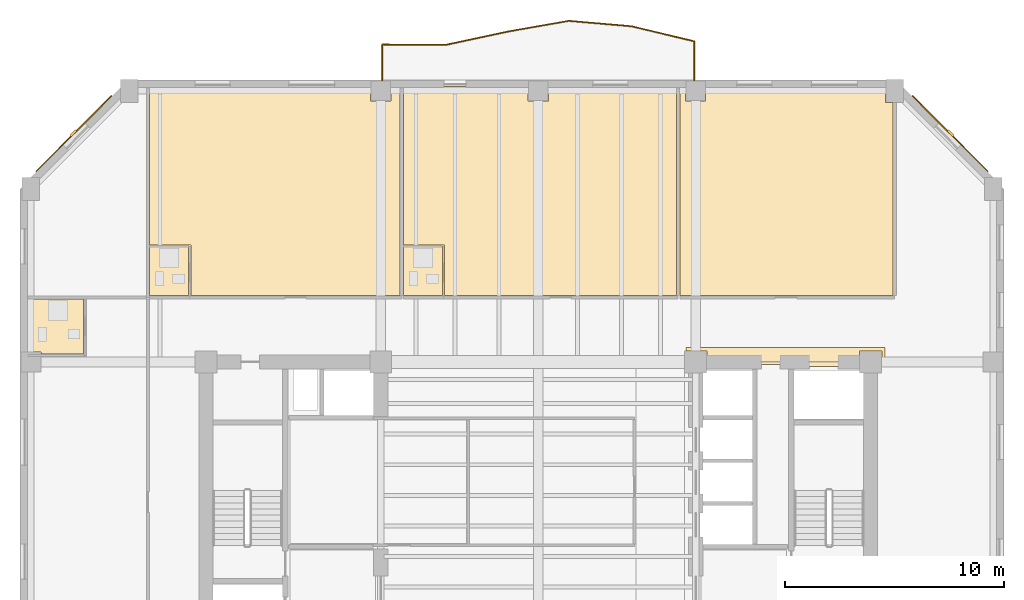
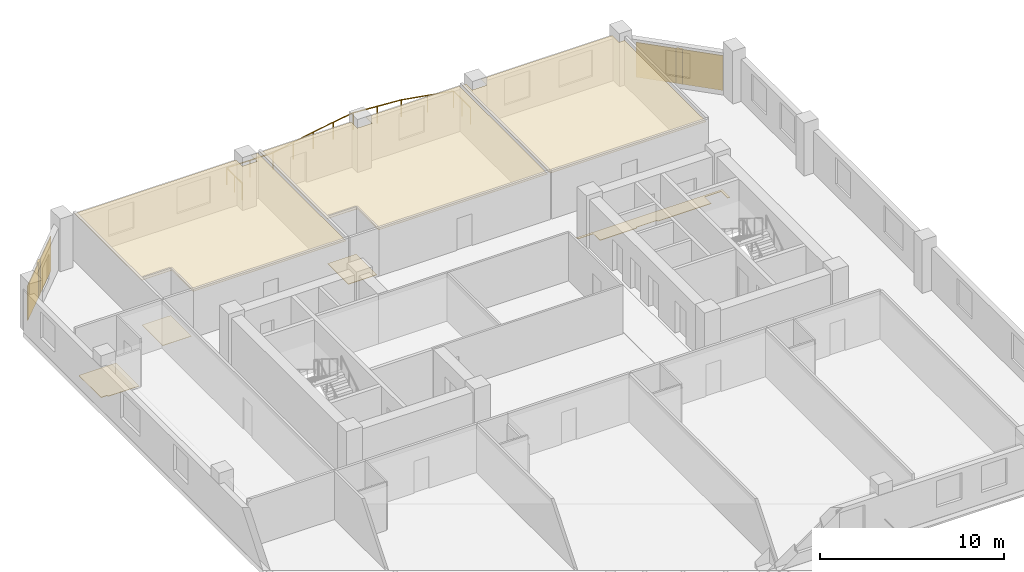
# One storey, part 9 of 10: 9 coverings, 2 shading devices, 1 railing.
"""IFC4 building model written with IfcOpenShell, lengths in metres."""

from ifc_helpers import new_model, si_unit, direction, frame, origin, origin_2d, place, context, subcontext, project, spatial, polyline, rectangle, circle, outline, extrude, material, layer, layer_set, type_object, element, save


model = new_model("IFC4")

# Units and contexts
model_context = context("Model", 3, precision=1e-05, world=origin(), true_north=direction((0.0, 1.0)))
body_context = subcontext(model_context, "Body", "Model", "MODEL_VIEW")
ifc_project = project(units=[si_unit("LENGTHUNIT", "METRE"), si_unit("AREAUNIT", "SQUARE_METRE"), si_unit("VOLUMEUNIT", "CUBIC_METRE"), si_unit("PLANEANGLEUNIT", "RADIAN"), si_unit("MASSUNIT", "GRAM", prefix="KILO")], contexts=[model_context])

# Site, building, storey
site_placement = place(None, origin())
site = spatial("IfcSite", under=ifc_project, at=site_placement, CompositionType="ELEMENT")
building_placement = place(site_placement, origin())
building = spatial("IfcBuilding", under=site, at=building_placement, Name="Kranthara Brick Stack", CompositionType="ELEMENT")
storey_placement = place(building_placement, frame((0.0, 0.0, 127.300048828125)))
storey = spatial("IfcBuildingStorey", under=building, at=storey_placement, Name="L31", CompositionType="ELEMENT", Elevation=127.300048828125)

# Coverings
ifc_material_1 = material(Name="Perforated mineral-fibre acoustic ceiling tile", Category="other")
ifc_layer_1 = layer(ifc_material_1, 0.02490234375)
ifc_layer_set_1 = layer_set([ifc_layer_1], Name="Perforated mineral-fibre acoustic ceiling tile")
covering_type_1 = type_object("IfcCoveringType", Name="COV-CEIL-ACOUSTIC", PredefinedType="CEILING", material=ifc_layer_set_1)
covering_1_placement = place(storey_placement, frame((0.0, 0.0, 2.929931640625)))
element("IfcCovering", 1, at=covering_1_placement, inside=storey, type_object=covering_type_1, Name="L31 Room L31-05 Corner Junior Suite Acoustic Ceiling", PredefinedType="CEILING", context=body_context, shape_type="SweptSolid", body=[
    extrude(outline(polyline([(21.680908203125, 46.199951171875), (21.680908203125, 36.6298828125), (12.110107421875, 36.6298828125), (12.110107421875, 38.93994140625), (10.22998046875, 38.93994140625), (10.22998046875, 46.199951171875), (20.340087890625, 46.199951171875), (20.340087890625, 45.5400390625), (21.260009765625, 45.5400390625), (21.260009765625, 46.199951171875), (21.680908203125, 46.199951171875)])), origin(), (0.0, 0.0, 1.0), 0.02490234375),
])
covering_2_placement = place(storey_placement, frame((0.0, 0.0, 2.929931640625)))
element("IfcCovering", 2, at=covering_2_placement, inside=storey, type_object=covering_type_1, Name="L31 Room L31-06 Corner Junior Suite Acoustic Ceiling", PredefinedType="CEILING", context=body_context, shape_type="SweptSolid", body=[
    extrude(outline(polyline([(34.31591796875, 46.199951171875), (34.31591796875, 36.6298828125), (23.720947265625, 36.6298828125), (23.720947265625, 38.93994140625), (21.841064453125, 38.93994140625), (21.841064453125, 46.199951171875), (27.5400390625, 46.199951171875), (27.5400390625, 45.5400390625), (28.4599609375, 45.5400390625), (28.4599609375, 46.199951171875), (34.31591796875, 46.199951171875)])), origin(), (0.0, 0.0, 1.0), 0.02490234375),
])
covering_3_placement = place(storey_placement, frame((0.0, 0.0, 2.929931640625)))
element("IfcCovering", 3, at=covering_3_placement, inside=storey, type_object=covering_type_1, Name="L31 L31 Guest Sky Lounge 7 Acoustic Ceiling", PredefinedType="CEILING", context=body_context, shape_type="SweptSolid", body=[
    extrude(outline(polyline([(44.219970703125, 36.6298828125), (34.47607421875, 36.6298828125), (34.47607421875, 46.199951171875), (34.739990234375, 46.199951171875), (34.739990234375, 45.5400390625), (35.659912109375, 45.5400390625), (35.659912109375, 46.199951171875), (43.889892578125, 46.199951171875), (43.889892578125, 45.465087890625), (44.219970703125, 45.465087890625), (44.219970703125, 36.6298828125)])), origin(), (0.0, 0.0, 1.0), 0.02490234375),
])
ifc_material_2 = material(Name="Warm buff kiln-fired brick slip rainscreen", Category="masonry")
ifc_layer_2 = layer(ifc_material_2, 0.044921875)
ifc_layer_set_2 = layer_set([ifc_layer_2], Name="Warm buff kiln-fired brick slip rainscreen")
covering_type_2 = type_object("IfcCoveringType", Name="COV-CLAD-BRICK", PredefinedType="CLADDING", material=ifc_layer_set_2)
for number, where, z_axis, x_axis, name in (
    (4, (6.759521484375, 44.040283203125, 0.0498046875), (0.0, 0.0, 1.0), (0.707106781187, 0.707106781187, 0.0), "L31 Chamfer Brick Rainscreen Cladding NW"),
    (5, (46.84033203125, 44.040283203125, 0.0498046875), (0.0, 0.0, 1.0), (0.707106781187, -0.707106781187, 0.0), "L31 Chamfer Brick Rainscreen Cladding NE"),
):
    element("IfcCovering", number, at=place(storey_placement, frame(where, z_axis=z_axis, x_axis=x_axis)), inside=storey, type_object=covering_type_2, Name=name, PredefinedType="CLADDING", context=body_context, shape_type="SweptSolid", body=[
        extrude(rectangle(XDim=4.89306640625, YDim=0.044921875, at=origin_2d()), origin(), (0.0, 0.0, 1.0), 2.300048828125),
    ])
ifc_material_3 = material(Name="Honed terrazzo and porcelain floor finish", Category="stone")
ifc_layer_3 = layer(ifc_material_3, 0.030029296875)
ifc_layer_set_3 = layer_set([ifc_layer_3], Name="Honed terrazzo and porcelain floor finish")
covering_type_3 = type_object("IfcCoveringType", Name="COV-FLOR-STONE", PredefinedType="FLOORING", material=ifc_layer_set_3)
covering_4_placement = place(storey_placement, origin())
element("IfcCovering", 6, at=covering_4_placement, inside=storey, type_object=covering_type_3, Name="L31 Lift Lobby Stone Flooring", PredefinedType="FLOORING", context=body_context, shape_type="SweptSolid", body=[
    extrude(outline(polyline([(43.7099609375, 33.39990234375), (43.7099609375, 34.110107421875), (42.68994140625, 34.110107421875), (42.68994140625, 33.39990234375), (39.35009765625, 33.39990234375), (39.35009765625, 33.47998046875), (38.050048828125, 33.47998046875), (38.050048828125, 33.39990234375), (35.7099609375, 33.39990234375), (35.7099609375, 34.110107421875), (34.75, 34.110107421875), (34.75, 34.25), (43.85009765625, 34.25), (43.85009765625, 33.39990234375), (43.7099609375, 33.39990234375)])), origin(), (0.0, 0.0, 1.0), 0.030029296875),
])
covering_5_placement = place(storey_placement, origin())
element("IfcCovering", 7, at=covering_5_placement, inside=storey, type_object=covering_type_3, Name="L31 Wet Room Porcelain Flooring", PredefinedType="FLOORING", context=body_context, shape_type="SweptSolid", body=[
    extrude(outline(polyline([(10.22998046875, 36.6298828125), (10.22998046875, 38.8798828125), (12.010009765625, 38.8798828125), (12.010009765625, 36.6298828125), (10.22998046875, 36.6298828125)])), origin(), (0.0, 0.0, 1.0), 0.030029296875),
])
covering_6_placement = place(storey_placement, origin())
element("IfcCovering", 8, at=covering_6_placement, inside=storey, type_object=covering_type_3, Name="L31 Wet Room Porcelain Flooring", PredefinedType="FLOORING", context=body_context, shape_type="SweptSolid", body=[
    extrude(outline(polyline([(21.841064453125, 36.6298828125), (21.841064453125, 38.8798828125), (23.62109375, 38.8798828125), (23.62109375, 36.6298828125), (21.841064453125, 36.6298828125)])), origin(), (0.0, 0.0, 1.0), 0.030029296875),
])
covering_7_placement = place(storey_placement, origin())
element("IfcCovering", 9, at=covering_7_placement, inside=storey, type_object=covering_type_3, Name="L31 Wet Room Porcelain Flooring", PredefinedType="FLOORING", context=body_context, shape_type="SweptSolid", body=[
    extrude(outline(polyline([(7.2099609375, 36.469970703125), (7.2099609375, 33.9599609375), (5.260009765625, 33.9599609375), (5.260009765625, 34.06005859375), (4.8701171875, 34.06005859375), (4.8701171875, 36.469970703125), (7.2099609375, 36.469970703125)])), origin(), (0.0, 0.0, 1.0), 0.030029296875),
])

# Railing
ifc_material_4 = material(Name="Bronze anodised aluminium and laminated glass balustrade", Category="aluminium")
railing_type = type_object("IfcRailingType", Name="RL-BALC-1120", PredefinedType="BALUSTRADE", material=ifc_material_4)
railing_placement = place(storey_placement, frame((20.860107421875, 46.43994140625, 0.0)))
element("IfcRailing", 10, at=railing_placement, inside=storey, type_object=railing_type, Name="L31 North Rippling Balcony Balustrade", PredefinedType="BALUSTRADE", context=body_context, shape_type="SweptSolid", body=[
    extrude(circle(Radius=0.02392578125, at=origin_2d()), frame((0.0, 0.0, 1.09619140625), z_axis=(0.0, 1.0, 0.0), x_axis=(-1.0, 0.0, 0.0)), (0.0, 0.0, 1.0), 1.678955078125),
    extrude(circle(Radius=0.02392578125, at=origin_2d()), frame((0.0, 1.678955078125, 1.09619140625), z_axis=(0.999967571522, -0.008053316319, 0.0), x_axis=(0.008053316319, 0.999967571522, 0.0)), (0.0, 0.0, 1.0), 2.8798828125),
    extrude(circle(Radius=0.02392578125, at=origin_2d()), frame((2.8798828125, 1.65576171875, 1.09619140625), z_axis=(0.977747689302, 0.209784308433, 0.0), x_axis=(-0.209784308433, 0.977747689302, 0.0)), (0.0, 0.0, 1.0), 2.939697265625),
    extrude(circle(Radius=0.02392578125, at=origin_2d()), frame((5.754150390625, 2.2724609375, 1.09619140625), z_axis=(0.984977167835, 0.172684622486, 0.0), x_axis=(-0.172684622486, 0.984977167835, 0.0)), (0.0, 0.0, 1.0), 2.822021484375),
    extrude(circle(Radius=0.02392578125, at=origin_2d()), frame((8.53369140625, 2.759765625, 1.09619140625), z_axis=(0.996359012869, -0.08525677377, 0.0), x_axis=(0.08525677377, 0.996359012869, 0.0)), (0.0, 0.0, 1.0), 2.8779296875),
    extrude(circle(Radius=0.02392578125, at=origin_2d()), frame((11.401123046875, 2.514404296875, 1.09619140625), z_axis=(0.972459124894, -0.233073487147, 0.0), x_axis=(0.233073487147, 0.972459124894, 0.0)), (0.0, 0.0, 1.0), 2.960205078125),
    extrude(circle(Radius=0.02392578125, at=origin_2d()), frame((14.27978515625, 1.824462890625, 1.09619140625), z_axis=(0.0, -1.0, 0.0), x_axis=(1.0, 0.0, 0.0)), (0.0, 0.0, 1.0), 1.824462890625),
    extrude(circle(Radius=0.02099609375, at=origin_2d()), origin(), (0.0, 0.0, 1.0), 1.072021484375),
    extrude(circle(Radius=0.02099609375, at=origin_2d()), frame((0.0, 0.83935546875, 0.0)), (0.0, 0.0, 1.0), 1.072021484375),
    extrude(circle(Radius=0.02099609375, at=origin_2d()), frame((0.0, 1.678955078125, 0.0)), (0.0, 0.0, 1.0), 1.072021484375),
    extrude(circle(Radius=0.02099609375, at=origin_2d()), frame((1.43994140625, 1.66748046875, 0.0)), (0.0, 0.0, 1.0), 1.072021484375),
    extrude(circle(Radius=0.02099609375, at=origin_2d()), frame((2.8798828125, 1.65576171875, 0.0)), (0.0, 0.0, 1.0), 1.072021484375),
    extrude(circle(Radius=0.02099609375, at=origin_2d()), frame((4.31689453125, 1.964111328125, 0.0)), (0.0, 0.0, 1.0), 1.072021484375),
    extrude(circle(Radius=0.02099609375, at=origin_2d()), frame((5.754150390625, 2.2724609375, 0.0)), (0.0, 0.0, 1.0), 1.072021484375),
    extrude(circle(Radius=0.02099609375, at=origin_2d()), frame((7.14404296875, 2.51611328125, 0.0)), (0.0, 0.0, 1.0), 1.072021484375),
    extrude(circle(Radius=0.02099609375, at=origin_2d()), frame((8.53369140625, 2.759765625, 0.0)), (0.0, 0.0, 1.0), 1.072021484375),
    extrude(circle(Radius=0.02099609375, at=origin_2d()), frame((9.96728515625, 2.63720703125, 0.0)), (0.0, 0.0, 1.0), 1.072021484375),
    extrude(circle(Radius=0.02099609375, at=origin_2d()), frame((11.401123046875, 2.514404296875, 0.0)), (0.0, 0.0, 1.0), 1.072021484375),
    extrude(circle(Radius=0.02099609375, at=origin_2d()), frame((12.84033203125, 2.16943359375, 0.0)), (0.0, 0.0, 1.0), 1.072021484375),
    extrude(circle(Radius=0.02099609375, at=origin_2d()), frame((14.27978515625, 1.824462890625, 0.0)), (0.0, 0.0, 1.0), 1.072021484375),
    extrude(circle(Radius=0.02099609375, at=origin_2d()), frame((14.27978515625, 0.912109375, 0.0)), (0.0, 0.0, 1.0), 1.072021484375),
    extrude(circle(Radius=0.02099609375, at=origin_2d()), frame((14.27978515625, 0.0, 0.0)), (0.0, 0.0, 1.0), 1.072021484375),
])

# Shading devices
ifc_material_5 = material(Name="Kiln-fired terracotta aerodynamic wind fin", Category="masonry")
shading_device_type = type_object("IfcShadingDeviceType", Name="SHD-BAFFLE-CORNER", PredefinedType="SHUTTER", material=ifc_material_5)
for number, where, z_axis, x_axis, name in (
    (11, (6.73828125, 44.0615234375, 0.0498046875), (0.0, 0.0, 1.0), (0.707106781187, 0.707106781187, 0.0), "L31 Chamfer Wind-Baffle Fin NW"),
    (12, (46.861572265625, 44.0615234375, 0.0498046875), (0.0, 0.0, 1.0), (0.707106781187, -0.707106781187, 0.0), "L31 Chamfer Wind-Baffle Fin NE"),
):
    element("IfcShadingDevice", number, at=place(storey_placement, frame(where, z_axis=z_axis, x_axis=x_axis)), inside=storey, type_object=shading_device_type, Name=name, PredefinedType="SHUTTER", context=body_context, shape_type="SweptSolid", body=[
        extrude(rectangle(XDim=0.35009765625, YDim=0.1201171875, at=origin_2d()), origin(), (0.0, 0.0, 1.0), 2.300048828125),
    ])

save(model, "model.ifc")
